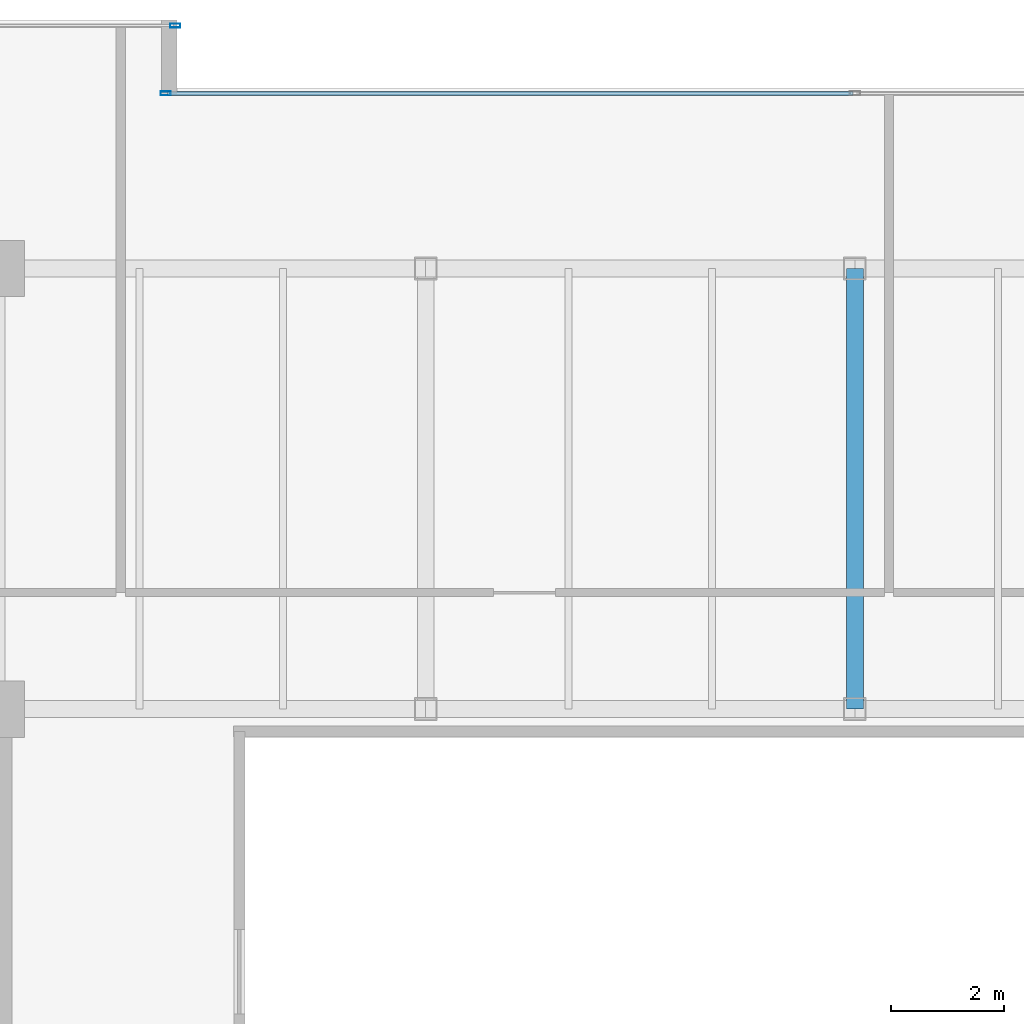
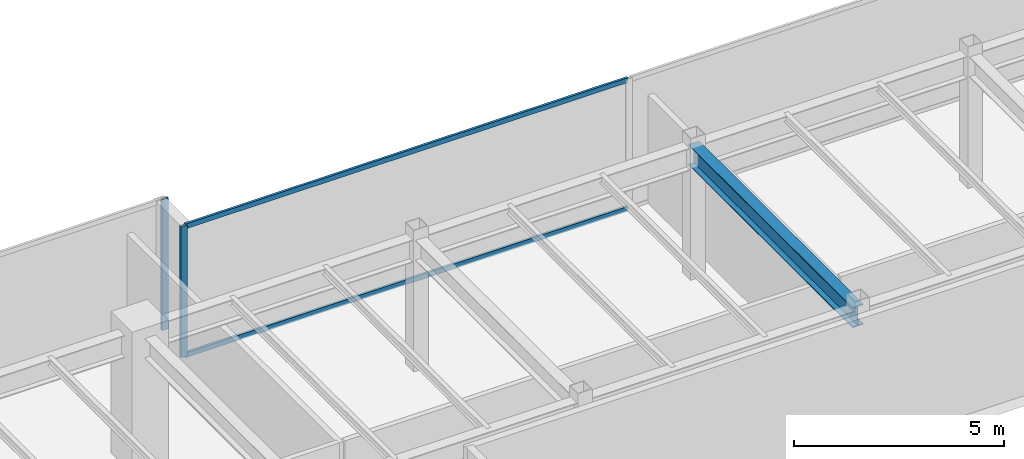
# One storey, part 17 of 33: 4 members, 1 beam, 2 elements without a shape of their own.
"""IFC4 building model written with IfcOpenShell, lengths in metres."""

from ifc_helpers import new_model, si_unit, direction, frame, origin, origin_2d, place, context, subcontext, project, spatial, hollow_rectangle, i_section, extrude, source, transform, mapped, material, layer, layer_set, material_profile, profile_set, type_object, type_shapes, element, aggregate, save


model = new_model("IFC4")

# Units and contexts
model_context = context("Model", 3, precision=1e-05, world=origin(), true_north=direction((0.0, 1.0)))
body_context = subcontext(model_context, "Body", "Model", "MODEL_VIEW")
ifc_project = project(units=[si_unit("LENGTHUNIT", "METRE"), si_unit("AREAUNIT", "SQUARE_METRE"), si_unit("VOLUMEUNIT", "CUBIC_METRE"), si_unit("PLANEANGLEUNIT", "RADIAN"), si_unit("MASSUNIT", "GRAM", prefix="KILO")], contexts=[model_context])

# Site, building, storey
site_placement = place(None, origin())
site = spatial("IfcSite", under=ifc_project, at=site_placement, CompositionType="ELEMENT")
building_placement = place(site_placement, origin())
building = spatial("IfcBuilding", under=site, at=building_placement, Name="Haelvirn Gate Laboratories", CompositionType="ELEMENT")
storey_placement = place(building_placement, frame((0.0, 0.0, 275.199951171875)))
storey = spatial("IfcBuildingStorey", under=building, at=storey_placement, Name="L66", CompositionType="ELEMENT", Elevation=275.199951171875)

# Beam
ifc_material_1 = material(Name="Steel SM355", Category="steel")
ifc_material_profile_1 = material_profile(ifc_material_1, i_section(OverallWidth=0.300048828125, OverallDepth=0.587890625, WebThickness=0.011962890625, FlangeThickness=0.02001953125, at=origin_2d()), Name="H-588x300x12x20")
ifc_profile_set_1 = profile_set([ifc_material_profile_1], Name="Steel SM355")
beam_type = type_object("IfcBeamType", Name="BM-G-588", PredefinedType="BEAM", material=ifc_profile_set_1)
shared_shape_1 = source(origin(), body_context, "Body", "SweptSolid", [
    extrude(i_section(OverallWidth=0.300048828125, OverallDepth=0.587890625, WebThickness=0.011962890625, FlangeThickness=0.02001953125, at=origin_2d()), origin(), (0.0, 0.0, 1.0), 7.800048828125),
])
type_shapes(beam_type, [shared_shape_1])
beam_placement = place(storey_placement, frame((37.39990234375, 33.800048828125, 3.506103515625), z_axis=(0.0, 1.0, 0.0), x_axis=(-1.0, 0.0, 0.0)))
element("IfcBeam", 1, at=beam_placement, inside=storey, type_object=beam_type, Name="L66 Frame Girder X37.4 (33.8-41.6)", PredefinedType="BEAM", context=body_context, shape_type="MappedRepresentation", body=[
    mapped(shared_shape_1, transform((0.0, 0.0, 0.0), scale=1.0)),
])

# Curtain wall, members
ifc_material_2 = material(Name="Anodised bronze unitised aluminium & triple low-E glass", Category="aluminium")
ifc_layer = layer(ifc_material_2, 0.176025390625, Name="CW-SYS-4")
ifc_layer_set = layer_set([ifc_layer], Name="Anodised bronze unitised aluminium & triple low-E glass")
curtain_wall_type = type_object("IfcCurtainWallType", Name="CW-SYS-4", PredefinedType="NOTDEFINED", material=ifc_layer_set)
curtain_wall_1_placement = place(storey_placement, origin())
curtain_wall_1 = element("IfcCurtainWall", 2, at=curtain_wall_1_placement, inside=storey, type_object=curtain_wall_type, Name="L66 Unitised Curtain Wall CW-L66-P0-E12-1", PredefinedType="NOTDEFINED")
ifc_material_3 = material(Name="Extruded aluminium 6063-T6 (anodised bronze)", Category="aluminium")
ifc_material_profile_2 = material_profile(ifc_material_3, hollow_rectangle(XDim=0.06494140625, YDim=0.139892578125, WallThickness=0.00390625, at=origin_2d()), Name="CWT-140x65x4")
ifc_profile_set_2 = profile_set([ifc_material_profile_2], Name="Extruded aluminium 6063-T6 (anodised bronze)")
member_type_1 = type_object("IfcMemberType", Name="CWT-T140", PredefinedType="USERDEFINED", material=ifc_profile_set_2)
shared_shape_2 = source(origin(), body_context, "Body", "SweptSolid", [
    extrude(hollow_rectangle(XDim=0.06494140625, YDim=0.139892578125, WallThickness=0.00390625, at=origin_2d()), origin(), (0.0, 0.0, 1.0), 12.135009765625),
])
type_shapes(member_type_1, [shared_shape_2])
member_1_placement = place(storey_placement, frame((25.22998046875, 44.699951171875, 0.032470703125), z_axis=(1.0, 0.0, 0.0), x_axis=(0.0, 1.0, 0.0)))
member_1 = element("IfcMember", 3, at=member_1_placement, type_object=member_type_1, Name="CW4 transom 1.1", ObjectType="TRANSOM", PredefinedType="USERDEFINED", context=body_context, shape_type="MappedRepresentation", body=[
    mapped(shared_shape_2, transform((0.0, 0.0, 0.0), scale=1.0)),
])
member_2_placement = place(storey_placement, frame((25.22998046875, 44.699951171875, 3.767578125), z_axis=(1.0, 0.0, 0.0), x_axis=(0.0, 1.0, 0.0)))
member_2 = element("IfcMember", 4, at=member_2_placement, type_object=member_type_1, Name="CW4 transom 1.2", ObjectType="TRANSOM", PredefinedType="USERDEFINED", context=body_context, shape_type="MappedRepresentation", body=[
    mapped(shared_shape_2, transform((0.0, 0.0, 0.0), scale=1.0)),
])
ifc_material_profile_3 = material_profile(ifc_material_3, hollow_rectangle(XDim=0.070068359375, YDim=0.179931640625, WallThickness=0.0048828125, at=origin_2d()), Name="CWM-180x70x5")
ifc_profile_set_3 = profile_set([ifc_material_profile_3], Name="Extruded aluminium 6063-T6 (anodised bronze)")
member_type_2 = type_object("IfcMemberType", Name="CWM-T180", PredefinedType="MULLION", material=ifc_profile_set_3)
shared_shape_3 = source(origin(), body_context, "Body", "SweptSolid", [
    extrude(hollow_rectangle(XDim=0.070068359375, YDim=0.179931640625, WallThickness=0.0048828125, at=origin_2d()), origin(), (0.0, 0.0, 1.0), 3.800048828125),
])
type_shapes(member_type_2, [shared_shape_3])
member_3_placement = place(storey_placement, frame((25.195068359375, 44.699951171875, 0.0), z_axis=(0.0, 0.0, 1.0), x_axis=(0.0, 1.0, 0.0)))
member_3 = element("IfcMember", 5, at=member_3_placement, type_object=member_type_2, Name="CW4 mullion 1", PredefinedType="MULLION", context=body_context, shape_type="MappedRepresentation", body=[
    mapped(shared_shape_3, transform((0.0, 0.0, 0.0), scale=1.0)),
])
aggregate(curtain_wall_1, [member_3, member_1, member_2])

# Curtain wall, member
curtain_wall_2_placement = place(storey_placement, origin())
curtain_wall_2 = element("IfcCurtainWall", 6, at=curtain_wall_2_placement, inside=storey, type_object=curtain_wall_type, Name="L66 Unitised Curtain Wall CW-L66-P0-E14-1", PredefinedType="NOTDEFINED")
member_4_placement = place(storey_placement, frame((25.364990234375, 45.89990234375, 0.0), z_axis=(0.0, 0.0, 1.0), x_axis=(0.0, 1.0, 0.0)))
member_4 = element("IfcMember", 7, at=member_4_placement, type_object=member_type_2, Name="CW4 mullion 3", PredefinedType="MULLION", context=body_context, shape_type="MappedRepresentation", body=[
    mapped(shared_shape_3, transform((0.0, 0.0, 0.0), scale=1.0)),
])
aggregate(curtain_wall_2, [member_4])

save(model, "model.ifc")
